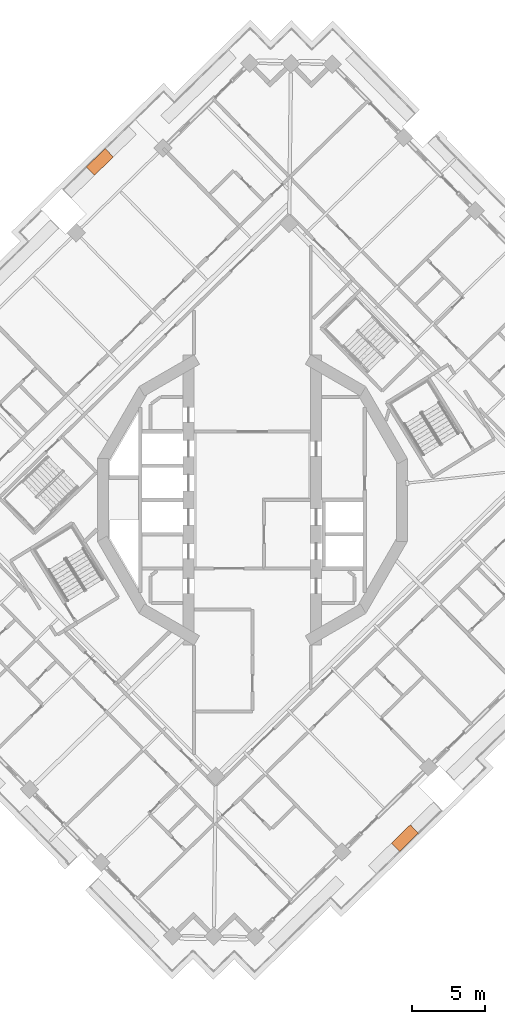
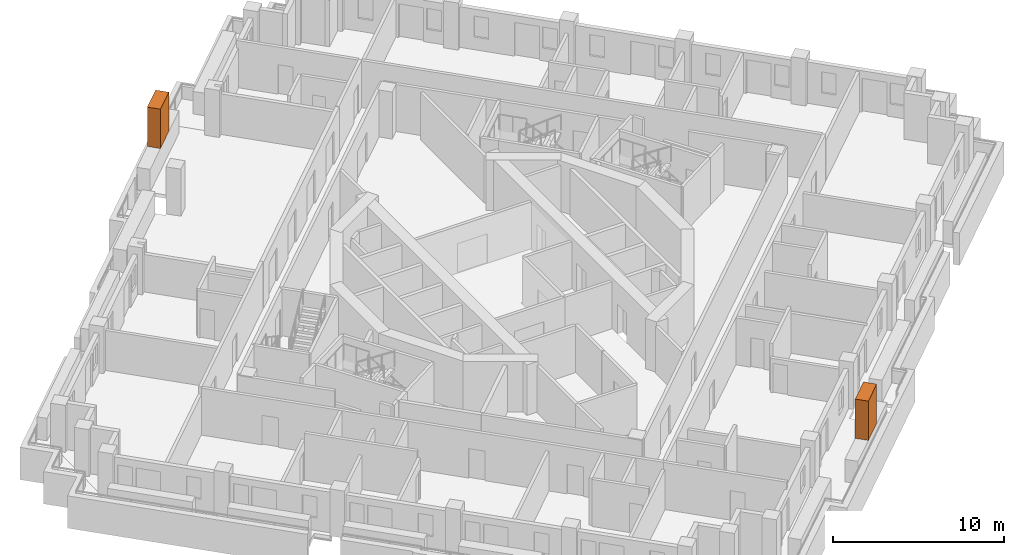
# One storey, part 19 of 19: 2 proxies.
"""IFC4 building model written with IfcOpenShell, lengths in metres."""

from ifc_helpers import new_model, si_unit, direction, frame, origin, origin_2d, place, context, subcontext, project, spatial, rectangle, extrude, element, save


model = new_model("IFC4")

# Units and contexts
model_context = context("Model", 3, precision=1e-05, world=origin(), true_north=direction((0.0, 1.0)))
body_context = subcontext(model_context, "Body", "Model", "MODEL_VIEW")
ifc_project = project(units=[si_unit("LENGTHUNIT", "METRE"), si_unit("AREAUNIT", "SQUARE_METRE"), si_unit("VOLUMEUNIT", "CUBIC_METRE"), si_unit("PLANEANGLEUNIT", "RADIAN"), si_unit("MASSUNIT", "GRAM", prefix="KILO")], contexts=[model_context])

# Site, building, storey
site_placement = place(None, origin())
site = spatial("IfcSite", under=ifc_project, at=site_placement, CompositionType="ELEMENT")
building_placement = place(site_placement, origin())
building = spatial("IfcBuilding", under=site, at=building_placement, Name="Cantera Rosa Tower", CompositionType="ELEMENT")
storey_placement = place(building_placement, frame((0.0, 0.0, 216.199951171875)))
storey = spatial("IfcBuildingStorey", under=building, at=storey_placement, Name="L46", CompositionType="ELEMENT", Elevation=216.199951171875)

# Proxies
for number, where, z_axis, x_axis, name in (
    (1, (-10.46240234375, 23.186767578125, 1.60009765625), (0.0, 0.0, 1.0), (-0.71528629107, -0.698831540364, 0.0), "TREE L46-07"),
    (2, (10.46240234375, -23.186767578125, 1.60009765625), (0.0, 0.0, 1.0), (0.71528629107, 0.698831540364, 0.0), "TREE L46-17"),
):
    element("IfcBuildingElementProxy", number, at=place(storey_placement, frame(where, z_axis=z_axis, x_axis=x_axis)), inside=storey, Name=name, ObjectType="TREE", PredefinedType="USERDEFINED", context=body_context, shape_type="SweptSolid", body=[
        extrude(rectangle(XDim=1.800048828125, YDim=0.800048828125, at=origin_2d()), origin(), (0.0, 0.0, 1.0), 2.800048828125),
    ])

save(model, "model.ifc")
